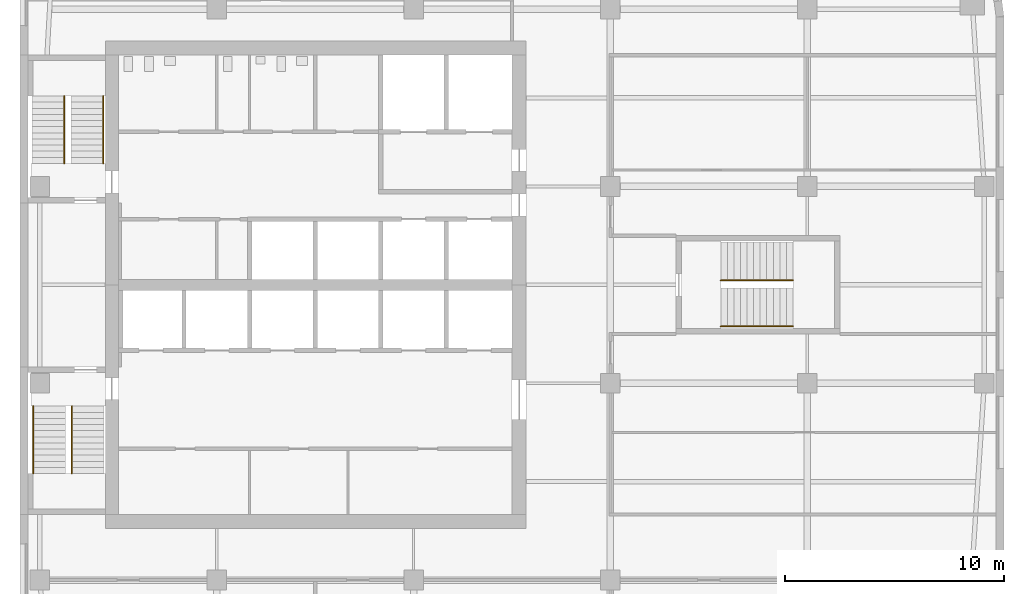
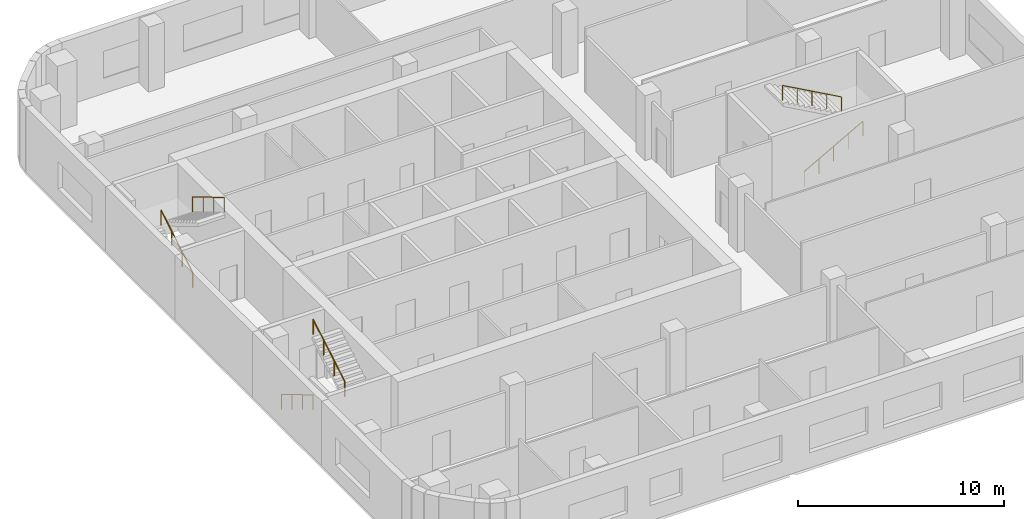
# One storey, part 7 of 8: 6 railings, 3 elements without a shape of their own.
"""IFC4 building model written with IfcOpenShell, lengths in metres."""

from ifc_helpers import new_model, si_unit, direction, frame, origin, origin_2d, place, context, subcontext, project, spatial, circle, extrude, material, type_object, element, aggregate, save


model = new_model("IFC4")

# Units and contexts
model_context = context("Model", 3, precision=1e-05, world=origin(), true_north=direction((0.0, 1.0)))
body_context = subcontext(model_context, "Body", "Model", "MODEL_VIEW")
ifc_project = project(units=[si_unit("LENGTHUNIT", "METRE"), si_unit("AREAUNIT", "SQUARE_METRE"), si_unit("VOLUMEUNIT", "CUBIC_METRE"), si_unit("PLANEANGLEUNIT", "RADIAN"), si_unit("MASSUNIT", "GRAM", prefix="KILO")], contexts=[model_context])

# Site, building, storey
site_placement = place(None, origin())
site = spatial("IfcSite", under=ifc_project, at=site_placement, CompositionType="ELEMENT")
building_placement = place(site_placement, origin())
building = spatial("IfcBuilding", under=site, at=building_placement, Name="Cinnabar Reach Civic Tower", CompositionType="ELEMENT")
storey_placement = place(building_placement, frame((0.0, 0.0, 177.0)))
storey = spatial("IfcBuildingStorey", under=building, at=storey_placement, Name="L42", CompositionType="ELEMENT", Elevation=177.0)

# Stair, railings
ifc_material_1 = material(Name="Concrete C40/50", Category="concrete")
stair_type = type_object("IfcStairType", Name="T1 Exit stair, half-turn", PredefinedType="HALF_TURN_STAIR", material=ifc_material_1)
stair_1_placement = place(storey_placement, origin())
stair_1 = element("IfcStair", 1, at=stair_1_placement, inside=storey, type_object=stair_type, Name="Stair T1-S1", PredefinedType="HALF_TURN_STAIR")
ifc_material_2 = material(Name="Stainless steel tube", Category="steel")
railing_type = type_object("IfcRailingType", Name="T1 Stair handrail, stainless tube 48", PredefinedType="HANDRAIL", material=ifc_material_2)
railing_1_placement = place(storey_placement, frame((0.6, 25.95, 0.1667)))
railing_1 = element("IfcRailing", 2, at=railing_1_placement, type_object=railing_type, Name="T1-S1 handrail 1", PredefinedType="HANDRAIL", context=body_context, shape_type="SweptSolid", body=[
    extrude(circle(Radius=0.024, at=origin_2d()), frame((0.0, 0.0, 0.876), z_axis=(0.0, -0.859296971757, 0.511476992962), x_axis=(1.0, 0.0, 0.0)), (0.0, 0.0, 1.0), 3.5843),
    extrude(circle(Radius=0.021, at=origin_2d()), origin(), (0.0, 0.0, 1.0), 0.852),
    extrude(circle(Radius=0.021, at=origin_2d()), frame((0.0, -1.0267, 0.6111)), (0.0, 0.0, 1.0), 0.852),
    extrude(circle(Radius=0.021, at=origin_2d()), frame((0.0, -2.0533, 1.2222)), (0.0, 0.0, 1.0), 0.852),
    extrude(circle(Radius=0.021, at=origin_2d()), frame((0.0, -3.08, 1.8333)), (0.0, 0.0, 1.0), 0.852),
])
railing_2_placement = place(storey_placement, frame((2.375, 22.87, 2.1667)))
railing_2 = element("IfcRailing", 3, at=railing_2_placement, type_object=railing_type, Name="T1-S1 handrail 2", PredefinedType="HANDRAIL", context=body_context, shape_type="SweptSolid", body=[
    extrude(circle(Radius=0.024, at=origin_2d()), frame((0.0, 0.0, 0.876), z_axis=(0.0, 0.859296971757, 0.511476992962), x_axis=(-1.0, 0.0, 0.0)), (0.0, 0.0, 1.0), 3.5843),
    extrude(circle(Radius=0.021, at=origin_2d()), origin(), (0.0, 0.0, 1.0), 0.852),
    extrude(circle(Radius=0.021, at=origin_2d()), frame((0.0, 1.0267, 0.6111)), (0.0, 0.0, 1.0), 0.852),
    extrude(circle(Radius=0.021, at=origin_2d()), frame((0.0, 2.0533, 1.2222)), (0.0, 0.0, 1.0), 0.852),
    extrude(circle(Radius=0.021, at=origin_2d()), frame((0.0, 3.08, 1.8333)), (0.0, 0.0, 1.0), 0.852),
])
aggregate(stair_1, [railing_1, railing_2])

stair_2_placement = place(storey_placement, origin())
stair_2 = element("IfcStair", 4, at=stair_2_placement, inside=storey, type_object=stair_type, Name="Stair T1-S2", PredefinedType="HALF_TURN_STAIR")
railing_3_placement = place(storey_placement, frame((2.025, 37.05, 0.1667)))
railing_3 = element("IfcRailing", 5, at=railing_3_placement, type_object=railing_type, Name="T1-S2 handrail 1", PredefinedType="HANDRAIL", context=body_context, shape_type="SweptSolid", body=[
    extrude(circle(Radius=0.024, at=origin_2d()), frame((0.0, 0.0, 0.876), z_axis=(0.0, 0.859296971757, 0.511476992962), x_axis=(-1.0, 0.0, 0.0)), (0.0, 0.0, 1.0), 3.5843),
    extrude(circle(Radius=0.021, at=origin_2d()), origin(), (0.0, 0.0, 1.0), 0.852),
    extrude(circle(Radius=0.021, at=origin_2d()), frame((0.0, 1.0267, 0.6111)), (0.0, 0.0, 1.0), 0.852),
    extrude(circle(Radius=0.021, at=origin_2d()), frame((0.0, 2.0533, 1.2222)), (0.0, 0.0, 1.0), 0.852),
    extrude(circle(Radius=0.021, at=origin_2d()), frame((0.0, 3.08, 1.8333)), (0.0, 0.0, 1.0), 0.852),
])
railing_4_placement = place(storey_placement, frame((3.8, 40.13, 2.1667)))
railing_4 = element("IfcRailing", 6, at=railing_4_placement, type_object=railing_type, Name="T1-S2 handrail 2", PredefinedType="HANDRAIL", context=body_context, shape_type="SweptSolid", body=[
    extrude(circle(Radius=0.024, at=origin_2d()), frame((0.0, 0.0, 0.876), z_axis=(0.0, -0.859296971757, 0.511476992962), x_axis=(1.0, 0.0, 0.0)), (0.0, 0.0, 1.0), 3.5843),
    extrude(circle(Radius=0.021, at=origin_2d()), origin(), (0.0, 0.0, 1.0), 0.852),
    extrude(circle(Radius=0.021, at=origin_2d()), frame((0.0, -1.0267, 0.6111)), (0.0, 0.0, 1.0), 0.852),
    extrude(circle(Radius=0.021, at=origin_2d()), frame((0.0, -2.0533, 1.2222)), (0.0, 0.0, 1.0), 0.852),
    extrude(circle(Radius=0.021, at=origin_2d()), frame((0.0, -3.08, 1.8333)), (0.0, 0.0, 1.0), 0.852),
])
aggregate(stair_2, [railing_3, railing_4])

stair_3_placement = place(storey_placement, origin())
stair_3 = element("IfcStair", 7, at=stair_3_placement, inside=storey, type_object=stair_type, Name="Stair T1-S3", PredefinedType="HALF_TURN_STAIR")
railing_5_placement = place(storey_placement, frame((32.05, 29.6, 0.1667)))
railing_5 = element("IfcRailing", 8, at=railing_5_placement, type_object=railing_type, Name="T1-S3 handrail 1", PredefinedType="HANDRAIL", context=body_context, shape_type="SweptSolid", body=[
    extrude(circle(Radius=0.024, at=origin_2d()), frame((0.0, 0.0, 0.876), z_axis=(0.874161024642, 0.0, 0.485636183781), x_axis=(0.0, 1.0, 0.0)), (0.0, 0.0, 1.0), 3.775),
    extrude(circle(Radius=0.021, at=origin_2d()), origin(), (0.0, 0.0, 1.0), 0.852),
    extrude(circle(Radius=0.021, at=origin_2d()), frame((0.825, 0.0, 0.4583)), (0.0, 0.0, 1.0), 0.852),
    extrude(circle(Radius=0.021, at=origin_2d()), frame((1.65, 0.0, 0.9167)), (0.0, 0.0, 1.0), 0.852),
    extrude(circle(Radius=0.021, at=origin_2d()), frame((2.475, 0.0, 1.375)), (0.0, 0.0, 1.0), 0.852),
    extrude(circle(Radius=0.021, at=origin_2d()), frame((3.3, 0.0, 1.8333)), (0.0, 0.0, 1.0), 0.852),
])
railing_6_placement = place(storey_placement, frame((35.35, 31.7, 2.1667)))
railing_6 = element("IfcRailing", 9, at=railing_6_placement, type_object=railing_type, Name="T1-S3 handrail 2", PredefinedType="HANDRAIL", context=body_context, shape_type="SweptSolid", body=[
    extrude(circle(Radius=0.024, at=origin_2d()), frame((0.0, 0.0, 0.876), z_axis=(-0.874161024642, 0.0, 0.485636183781), x_axis=(0.0, -1.0, 0.0)), (0.0, 0.0, 1.0), 3.775),
    extrude(circle(Radius=0.021, at=origin_2d()), origin(), (0.0, 0.0, 1.0), 0.852),
    extrude(circle(Radius=0.021, at=origin_2d()), frame((-0.825, 0.0, 0.4583)), (0.0, 0.0, 1.0), 0.852),
    extrude(circle(Radius=0.021, at=origin_2d()), frame((-1.65, 0.0, 0.9167)), (0.0, 0.0, 1.0), 0.852),
    extrude(circle(Radius=0.021, at=origin_2d()), frame((-2.475, 0.0, 1.375)), (0.0, 0.0, 1.0), 0.852),
    extrude(circle(Radius=0.021, at=origin_2d()), frame((-3.3, 0.0, 1.8333)), (0.0, 0.0, 1.0), 0.852),
])
aggregate(stair_3, [railing_5, railing_6])

save(model, "model.ifc")
